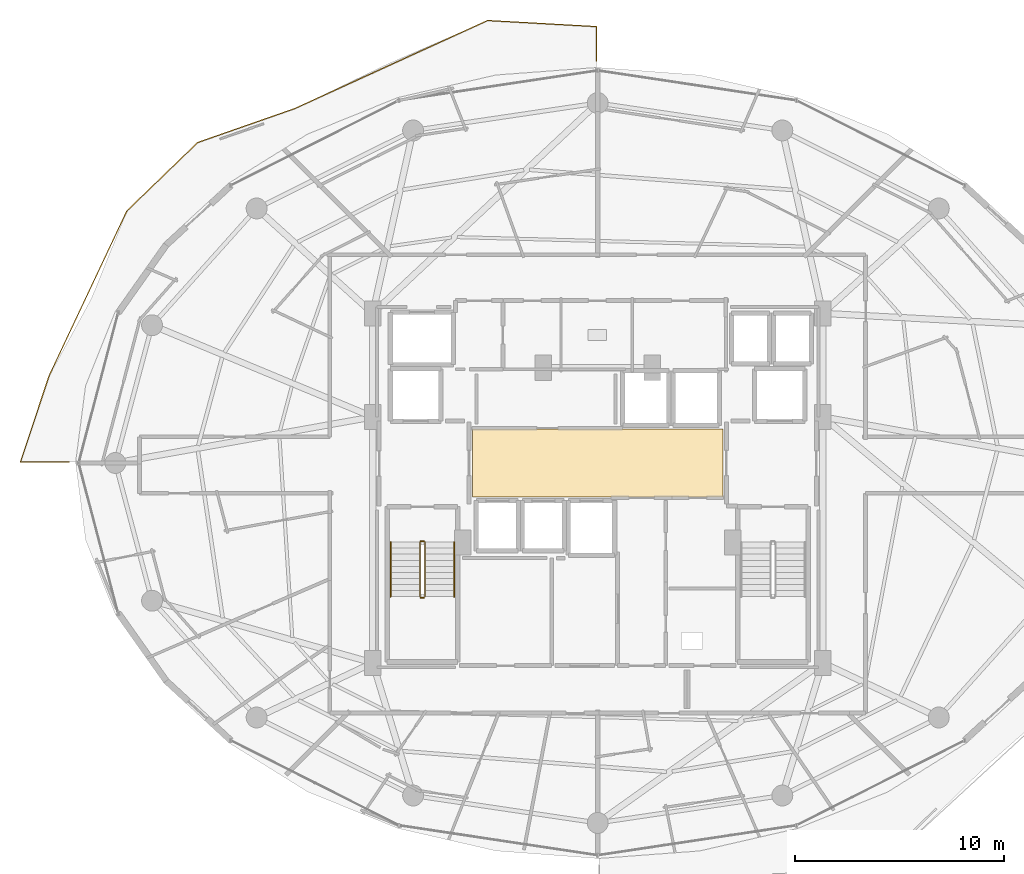
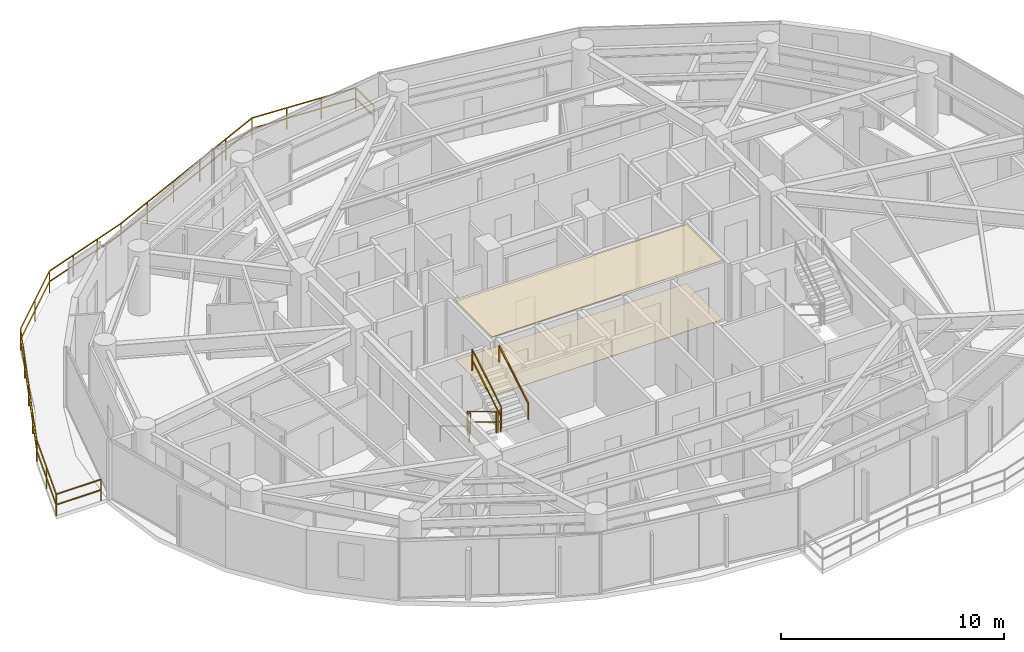
# One storey, part 28 of 31: 8 railings, 2 coverings.
"""IFC4 building model written with IfcOpenShell, lengths in metres."""

from ifc_helpers import new_model, si_unit, direction, frame, origin, origin_2d, place, context, subcontext, project, spatial, polyline, rectangle, outline, extrude, material, layer, layer_set, type_object, element, save


model = new_model("IFC4")

# Units and contexts
model_context = context("Model", 3, precision=1e-05, world=origin(), true_north=direction((0.0, 1.0)))
body_context = subcontext(model_context, "Body", "Model", "MODEL_VIEW")
ifc_project = project(units=[si_unit("LENGTHUNIT", "METRE"), si_unit("AREAUNIT", "SQUARE_METRE"), si_unit("VOLUMEUNIT", "CUBIC_METRE"), si_unit("PLANEANGLEUNIT", "RADIAN"), si_unit("MASSUNIT", "GRAM", prefix="KILO")], contexts=[model_context])

# Site, building, storey
site_placement = place(None, origin())
site = spatial("IfcSite", under=ifc_project, at=site_placement, CompositionType="ELEMENT")
building_placement = place(site_placement, origin())
building = spatial("IfcBuilding", under=site, at=building_placement, Name="Vorneva Point Tower", CompositionType="ELEMENT")
storey_placement = place(building_placement, frame((0.0, 0.0, 136.10009765625)))
storey = spatial("IfcBuildingStorey", under=building, at=storey_placement, Name="L36", CompositionType="ELEMENT", Elevation=136.10009765625)

# Coverings
ifc_material_1 = material(Name="Perforated acoustic aluminium baffle ceiling", Category="aluminium")
ifc_layer_1 = layer(ifc_material_1, 0.030029296875)
ifc_layer_set_1 = layer_set([ifc_layer_1], Name="Perforated acoustic aluminium baffle ceiling")
covering_type_1 = type_object("IfcCoveringType", Name="COV-CEIL-BAF", PredefinedType="CEILING", material=ifc_layer_set_1)
covering_1_placement = place(storey_placement, frame((0.0, 0.0, 3.2099609375)))
element("IfcCovering", 1, at=covering_1_placement, inside=storey, type_object=covering_type_1, Name="L36 Lift Lobby Acoustic Baffle Ceiling", PredefinedType="CEILING", context=body_context, shape_type="SweptSolid", body=[
    extrude(outline(polyline([(32.02001953125, 24.3701171875), (43.97998046875, 24.3701171875), (43.97998046875, 27.6298828125), (32.02001953125, 27.6298828125), (32.02001953125, 24.3701171875)])), origin(), (0.0, 0.0, 1.0), 0.034912109375),
])
ifc_material_2 = material(Name="Acoustic wool hospitality carpet", Category="textile")
ifc_layer_2 = layer(ifc_material_2, 0.01806640625)
ifc_layer_set_2 = layer_set([ifc_layer_2], Name="Acoustic wool hospitality carpet")
covering_type_2 = type_object("IfcCoveringType", Name="COV-FLR-CRP", PredefinedType="FLOORING", material=ifc_layer_set_2)
covering_2_placement = place(storey_placement, frame((0.0, 0.0, -0.005126953125)))
element("IfcCovering", 2, at=covering_2_placement, inside=storey, type_object=covering_type_2, Name="L36 Lift Lobby Floor Finish", PredefinedType="FLOORING", context=body_context, shape_type="SweptSolid", body=[
    extrude(outline(polyline([(32.02001953125, 24.3701171875), (43.97998046875, 24.3701171875), (43.97998046875, 27.6298828125), (32.02001953125, 27.6298828125), (32.02001953125, 24.3701171875)])), origin(), (0.0, 0.0, 1.0), 0.02294921875),
])

# Railings
ifc_material_3 = material(Name="Pale anodised aluminium", Category="aluminium")
railing_type_1 = type_object("IfcRailingType", Name="RL-BAL-1200", PredefinedType="BALUSTRADE", material=ifc_material_3)
railing_1_placement = place(storey_placement, frame((10.41650390625, 26.050048828125, 0.0)))
element("IfcRailing", 3, at=railing_1_placement, inside=storey, type_object=railing_type_1, Name="L36 Wave Balcony Balustrade NW.1", PredefinedType="BALUSTRADE", context=body_context, shape_type="SweptSolid", body=[
    extrude(rectangle(XDim=0.048095703125, YDim=0.048095703125, at=origin_2d()), frame((0.0, 0.0, 1.17578125), z_axis=(1.0, 0.0, 0.0), x_axis=(0.0, 1.0, 0.0)), (0.0, 0.0, 1.0), 2.3173828125),
    extrude(rectangle(XDim=0.048095703125, YDim=0.048095703125, at=origin_2d()), frame((0.0, 0.0, 0.60009765625), z_axis=(1.0, 0.0, 0.0), x_axis=(0.0, 1.0, 0.0)), (0.0, 0.0, 1.0), 2.3173828125),
    extrude(rectangle(XDim=0.0419921875, YDim=0.0419921875, at=origin_2d()), origin(), (0.0, 0.0, 1.0), 1.15185546875),
    extrude(rectangle(XDim=0.0419921875, YDim=0.0419921875, at=origin_2d()), frame((2.3173828125, 0.0, 0.0)), (0.0, 0.0, 1.0), 1.15185546875),
])
railing_2_placement = place(storey_placement, frame((37.949951171875, 45.21728515625, 0.0)))
element("IfcRailing", 4, at=railing_2_placement, inside=storey, type_object=railing_type_1, Name="L36 Wave Balcony Balustrade NW.2", PredefinedType="BALUSTRADE", context=body_context, shape_type="SweptSolid", body=[
    extrude(rectangle(XDim=0.048095703125, YDim=0.048095703125, at=origin_2d()), frame((0.0, 0.0, 1.17578125), z_axis=(0.0, 1.0, 0.0), x_axis=(-1.0, 0.0, 0.0)), (0.0, 0.0, 1.0), 1.635498046875),
    extrude(rectangle(XDim=0.048095703125, YDim=0.048095703125, at=origin_2d()), frame((0.0, 0.0, 0.60009765625), z_axis=(0.0, 1.0, 0.0), x_axis=(-1.0, 0.0, 0.0)), (0.0, 0.0, 1.0), 1.635498046875),
    extrude(rectangle(XDim=0.048095703125, YDim=0.048095703125, at=origin_2d()), frame((0.0, 1.635498046875, 1.17578125), z_axis=(-0.998441147821, 0.055814642676, 0.0), x_axis=(-0.055814642676, -0.998441147821, 0.0)), (0.0, 0.0, 1.0), 5.21826171875),
    extrude(rectangle(XDim=0.048095703125, YDim=0.048095703125, at=origin_2d()), frame((0.0, 1.635498046875, 0.60009765625), z_axis=(-0.998441147821, 0.055814642676, 0.0), x_axis=(-0.055814642676, -0.998441147821, 0.0)), (0.0, 0.0, 1.0), 5.21826171875),
    extrude(rectangle(XDim=0.048095703125, YDim=0.048095703125, at=origin_2d()), frame((-5.210205078125, 1.9267578125, 1.17578125), z_axis=(-0.909685431794, -0.415297983599, 0.0), x_axis=(0.415297983599, -0.909685431794, 0.0)), (0.0, 0.0, 1.0), 10.13427734375),
    extrude(rectangle(XDim=0.048095703125, YDim=0.048095703125, at=origin_2d()), frame((-5.210205078125, 1.9267578125, 0.60009765625), z_axis=(-0.909685431794, -0.415297983599, 0.0), x_axis=(0.415297983599, -0.909685431794, 0.0)), (0.0, 0.0, 1.0), 10.13427734375),
    extrude(rectangle(XDim=0.048095703125, YDim=0.048095703125, at=origin_2d()), frame((-14.42919921875, -2.281982421875, 1.17578125), z_axis=(-0.94396750054, -0.33003841886, 0.0), x_axis=(0.33003841886, -0.94396750054, 0.0)), (0.0, 0.0, 1.0), 4.914794921875),
    extrude(rectangle(XDim=0.048095703125, YDim=0.048095703125, at=origin_2d()), frame((-14.42919921875, -2.281982421875, 0.60009765625), z_axis=(-0.94396750054, -0.33003841886, 0.0), x_axis=(0.33003841886, -0.94396750054, 0.0)), (0.0, 0.0, 1.0), 4.914794921875),
    extrude(rectangle(XDim=0.048095703125, YDim=0.048095703125, at=origin_2d()), frame((-19.068603515625, -3.904052734375, 1.17578125), z_axis=(-0.719233181194, -0.694768760862, 0.0), x_axis=(0.694768760862, -0.719233181194, 0.0)), (0.0, 0.0, 1.0), 4.7001953125),
    extrude(rectangle(XDim=0.048095703125, YDim=0.048095703125, at=origin_2d()), frame((-19.068603515625, -3.904052734375, 0.60009765625), z_axis=(-0.719233181194, -0.694768760862, 0.0), x_axis=(0.694768760862, -0.719233181194, 0.0)), (0.0, 0.0, 1.0), 4.7001953125),
    extrude(rectangle(XDim=0.048095703125, YDim=0.048095703125, at=origin_2d()), frame((-22.44921875, -7.169677734375, 1.17578125), z_axis=(-0.426522468601, -0.90447696697, 0.0), x_axis=(0.90447696697, -0.426522468601, 0.0)), (0.0, 0.0, 1.0), 8.734130859375),
    extrude(rectangle(XDim=0.048095703125, YDim=0.048095703125, at=origin_2d()), frame((-22.44921875, -7.169677734375, 0.60009765625), z_axis=(-0.426522468601, -0.90447696697, 0.0), x_axis=(0.90447696697, -0.426522468601, 0.0)), (0.0, 0.0, 1.0), 8.734130859375),
    extrude(rectangle(XDim=0.048095703125, YDim=0.048095703125, at=origin_2d()), frame((-26.174560546875, -15.069580078125, 1.17578125), z_axis=(-0.314768350801, -0.949168523148, 0.0), x_axis=(0.949168523148, -0.314768350801, 0.0)), (0.0, 0.0, 1.0), 4.317138671875),
    extrude(rectangle(XDim=0.048095703125, YDim=0.048095703125, at=origin_2d()), frame((-26.174560546875, -15.069580078125, 0.60009765625), z_axis=(-0.314768350801, -0.949168523148, 0.0), x_axis=(0.949168523148, -0.314768350801, 0.0)), (0.0, 0.0, 1.0), 4.317138671875),
    extrude(rectangle(XDim=0.0419921875, YDim=0.0419921875, at=origin_2d()), origin(), (0.0, 0.0, 1.0), 1.15185546875),
    extrude(rectangle(XDim=0.0419921875, YDim=0.0419921875, at=origin_2d()), frame((0.0, 1.635498046875, 0.0)), (0.0, 0.0, 1.0), 1.15185546875),
    extrude(rectangle(XDim=0.0419921875, YDim=0.0419921875, at=origin_2d()), frame((-1.73681640625, 1.732666015625, 0.0)), (0.0, 0.0, 1.0), 1.15185546875),
    extrude(rectangle(XDim=0.0419921875, YDim=0.0419921875, at=origin_2d()), frame((-3.473388671875, 1.82958984375, 0.0)), (0.0, 0.0, 1.0), 1.15185546875),
    extrude(rectangle(XDim=0.0419921875, YDim=0.0419921875, at=origin_2d()), frame((-5.210205078125, 1.9267578125, 0.0)), (0.0, 0.0, 1.0), 1.15185546875),
    extrude(rectangle(XDim=0.0419921875, YDim=0.0419921875, at=origin_2d()), frame((-7.053955078125, 1.0849609375, 0.0)), (0.0, 0.0, 1.0), 1.15185546875),
    extrude(rectangle(XDim=0.0419921875, YDim=0.0419921875, at=origin_2d()), frame((-8.897705078125, 0.2431640625, 0.0)), (0.0, 0.0, 1.0), 1.15185546875),
    extrude(rectangle(XDim=0.0419921875, YDim=0.0419921875, at=origin_2d()), frame((-10.74169921875, -0.598388671875, 0.0)), (0.0, 0.0, 1.0), 1.15185546875),
    extrude(rectangle(XDim=0.0419921875, YDim=0.0419921875, at=origin_2d()), frame((-12.58544921875, -1.440185546875, 0.0)), (0.0, 0.0, 1.0), 1.15185546875),
    extrude(rectangle(XDim=0.0419921875, YDim=0.0419921875, at=origin_2d()), frame((-14.42919921875, -2.281982421875, 0.0)), (0.0, 0.0, 1.0), 1.15185546875),
    extrude(rectangle(XDim=0.0419921875, YDim=0.0419921875, at=origin_2d()), frame((-15.9755859375, -2.82275390625, 0.0)), (0.0, 0.0, 1.0), 1.15185546875),
    extrude(rectangle(XDim=0.0419921875, YDim=0.0419921875, at=origin_2d()), frame((-17.522216796875, -3.36328125, 0.0)), (0.0, 0.0, 1.0), 1.15185546875),
    extrude(rectangle(XDim=0.0419921875, YDim=0.0419921875, at=origin_2d()), frame((-19.068603515625, -3.904052734375, 0.0)), (0.0, 0.0, 1.0), 1.15185546875),
    extrude(rectangle(XDim=0.0419921875, YDim=0.0419921875, at=origin_2d()), frame((-20.7587890625, -5.536865234375, 0.0)), (0.0, 0.0, 1.0), 1.15185546875),
    extrude(rectangle(XDim=0.0419921875, YDim=0.0419921875, at=origin_2d()), frame((-22.44921875, -7.169677734375, 0.0)), (0.0, 0.0, 1.0), 1.15185546875),
    extrude(rectangle(XDim=0.0419921875, YDim=0.0419921875, at=origin_2d()), frame((-23.380615234375, -9.14453125, 0.0)), (0.0, 0.0, 1.0), 1.15185546875),
    extrude(rectangle(XDim=0.0419921875, YDim=0.0419921875, at=origin_2d()), frame((-24.31201171875, -11.11962890625, 0.0)), (0.0, 0.0, 1.0), 1.15185546875),
    extrude(rectangle(XDim=0.0419921875, YDim=0.0419921875, at=origin_2d()), frame((-25.2431640625, -13.0947265625, 0.0)), (0.0, 0.0, 1.0), 1.15185546875),
    extrude(rectangle(XDim=0.0419921875, YDim=0.0419921875, at=origin_2d()), frame((-26.174560546875, -15.069580078125, 0.0)), (0.0, 0.0, 1.0), 1.15185546875),
    extrude(rectangle(XDim=0.0419921875, YDim=0.0419921875, at=origin_2d()), frame((-26.85400390625, -17.118408203125, 0.0)), (0.0, 0.0, 1.0), 1.15185546875),
    extrude(rectangle(XDim=0.0419921875, YDim=0.0419921875, at=origin_2d()), frame((-27.533447265625, -19.167236328125, 0.0)), (0.0, 0.0, 1.0), 1.15185546875),
])
ifc_material_4 = material(Name="Brushed stainless steel S304", Category="steel")
railing_type_2 = type_object("IfcRailingType", Name="RL-HND-920", PredefinedType="HANDRAIL", material=ifc_material_4)
railing_3_placement = place(storey_placement, frame((28.10009765625, 22.219970703125, 0.1748046875)))
element("IfcRailing", 5, at=railing_3_placement, inside=storey, type_object=railing_type_2, Name="L36 ST1 stair handrail 1", PredefinedType="HANDRAIL", context=body_context, shape_type="SweptSolid", body=[
    extrude(rectangle(XDim=0.048095703125, YDim=0.048095703125, at=origin_2d()), frame((0.0, 0.0, 0.8759765625), z_axis=(0.0, -0.856147343639, 0.516731773728), x_axis=(1.0, 0.0, 0.0)), (0.0, 0.0, 1.0), 3.04833984375),
    extrude(rectangle(XDim=0.0419921875, YDim=0.0419921875, at=origin_2d()), origin(), (0.0, 0.0, 1.0), 0.851806640625),
    extrude(rectangle(XDim=0.0419921875, YDim=0.0419921875, at=origin_2d()), frame((0.0, -2.60986328125, 1.5751953125)), (0.0, 0.0, 1.0), 0.851806640625),
])
railing_4_placement = place(storey_placement, frame((31.14990234375, 19.610107421875, 1.9248046875)))
element("IfcRailing", 6, at=railing_4_placement, inside=storey, type_object=railing_type_2, Name="L36 ST1 stair handrail 2", PredefinedType="HANDRAIL", context=body_context, shape_type="SweptSolid", body=[
    extrude(rectangle(XDim=0.048095703125, YDim=0.048095703125, at=origin_2d()), frame((0.0, 0.0, 0.8759765625), z_axis=(0.0, 0.856147343639, 0.516731773728), x_axis=(-1.0, 0.0, 0.0)), (0.0, 0.0, 1.0), 3.04833984375),
    extrude(rectangle(XDim=0.0419921875, YDim=0.0419921875, at=origin_2d()), origin(), (0.0, 0.0, 1.0), 0.851806640625),
    extrude(rectangle(XDim=0.0419921875, YDim=0.0419921875, at=origin_2d()), frame((0.0, 2.60986328125, 1.5751953125)), (0.0, 0.0, 1.0), 0.851806640625),
])
railing_type_3 = type_object("IfcRailingType", Name="RL-STG-1100", PredefinedType="GUARDRAIL", material=ifc_material_4)
railing_5_placement = place(storey_placement, frame((29.5, 22.219970703125, 0.1748046875)))
element("IfcRailing", 7, at=railing_5_placement, inside=storey, type_object=railing_type_3, Name="L36 ST1 stair guard 1", PredefinedType="GUARDRAIL", context=body_context, shape_type="SweptSolid", body=[
    extrude(rectangle(XDim=0.048095703125, YDim=0.048095703125, at=origin_2d()), frame((0.0, 0.0, 1.17578125), z_axis=(0.0, -0.856147343639, 0.516731773728), x_axis=(1.0, 0.0, 0.0)), (0.0, 0.0, 1.0), 3.04833984375),
    extrude(rectangle(XDim=0.048095703125, YDim=0.048095703125, at=origin_2d()), frame((0.0, 0.0, 0.60009765625), z_axis=(0.0, -0.856147343639, 0.516731773728), x_axis=(1.0, 0.0, 0.0)), (0.0, 0.0, 1.0), 3.04833984375),
    extrude(rectangle(XDim=0.0419921875, YDim=0.0419921875, at=origin_2d()), origin(), (0.0, 0.0, 1.0), 1.15185546875),
    extrude(rectangle(XDim=0.0419921875, YDim=0.0419921875, at=origin_2d()), frame((0.0, -2.60986328125, 1.5751953125)), (0.0, 0.0, 1.0), 1.15185546875),
])
railing_6_placement = place(storey_placement, frame((29.550048828125, 19.56005859375, 1.75)))
element("IfcRailing", 8, at=railing_6_placement, inside=storey, type_object=railing_type_3, Name="L36 ST1 stair guard 2", PredefinedType="GUARDRAIL", context=body_context, shape_type="SweptSolid", body=[
    extrude(rectangle(XDim=0.048095703125, YDim=0.048095703125, at=origin_2d()), frame((0.0, 0.0, 1.17578125), z_axis=(1.0, 0.0, 0.0), x_axis=(0.0, 1.0, 0.0)), (0.0, 0.0, 1.0), 0.14990234375),
    extrude(rectangle(XDim=0.048095703125, YDim=0.048095703125, at=origin_2d()), frame((0.0, 0.0, 0.60009765625), z_axis=(1.0, 0.0, 0.0), x_axis=(0.0, 1.0, 0.0)), (0.0, 0.0, 1.0), 0.14990234375),
    extrude(rectangle(XDim=0.0419921875, YDim=0.0419921875, at=origin_2d()), origin(), (0.0, 0.0, 1.0), 1.15185546875),
    extrude(rectangle(XDim=0.0419921875, YDim=0.0419921875, at=origin_2d()), frame((0.14990234375, 0.0, 0.0)), (0.0, 0.0, 1.0), 1.15185546875),
])
railing_7_placement = place(storey_placement, frame((29.75, 19.610107421875, 1.9248046875)))
element("IfcRailing", 9, at=railing_7_placement, inside=storey, type_object=railing_type_3, Name="L36 ST1 stair guard 3", PredefinedType="GUARDRAIL", context=body_context, shape_type="SweptSolid", body=[
    extrude(rectangle(XDim=0.048095703125, YDim=0.048095703125, at=origin_2d()), frame((0.0, 0.0, 1.17578125), z_axis=(0.0, 0.856147343639, 0.516731773728), x_axis=(-1.0, 0.0, 0.0)), (0.0, 0.0, 1.0), 3.04833984375),
    extrude(rectangle(XDim=0.048095703125, YDim=0.048095703125, at=origin_2d()), frame((0.0, 0.0, 0.60009765625), z_axis=(0.0, 0.856147343639, 0.516731773728), x_axis=(-1.0, 0.0, 0.0)), (0.0, 0.0, 1.0), 3.04833984375),
    extrude(rectangle(XDim=0.0419921875, YDim=0.0419921875, at=origin_2d()), origin(), (0.0, 0.0, 1.0), 1.15185546875),
    extrude(rectangle(XDim=0.0419921875, YDim=0.0419921875, at=origin_2d()), frame((0.0, 2.60986328125, 1.5751953125)), (0.0, 0.0, 1.0), 1.15185546875),
])
railing_8_placement = place(storey_placement, frame((29.550048828125, 22.27001953125, 0.0)))
element("IfcRailing", 10, at=railing_8_placement, inside=storey, type_object=railing_type_3, Name="L36 ST1 stair guard 4", PredefinedType="GUARDRAIL", context=body_context, shape_type="SweptSolid", body=[
    extrude(rectangle(XDim=0.048095703125, YDim=0.048095703125, at=origin_2d()), frame((0.0, 0.0, 1.17578125), z_axis=(1.0, 0.0, 0.0), x_axis=(0.0, 1.0, 0.0)), (0.0, 0.0, 1.0), 0.14990234375),
    extrude(rectangle(XDim=0.048095703125, YDim=0.048095703125, at=origin_2d()), frame((0.0, 0.0, 0.60009765625), z_axis=(1.0, 0.0, 0.0), x_axis=(0.0, 1.0, 0.0)), (0.0, 0.0, 1.0), 0.14990234375),
    extrude(rectangle(XDim=0.0419921875, YDim=0.0419921875, at=origin_2d()), origin(), (0.0, 0.0, 1.0), 1.15185546875),
    extrude(rectangle(XDim=0.0419921875, YDim=0.0419921875, at=origin_2d()), frame((0.14990234375, 0.0, 0.0)), (0.0, 0.0, 1.0), 1.15185546875),
])

save(model, "model.ifc")
